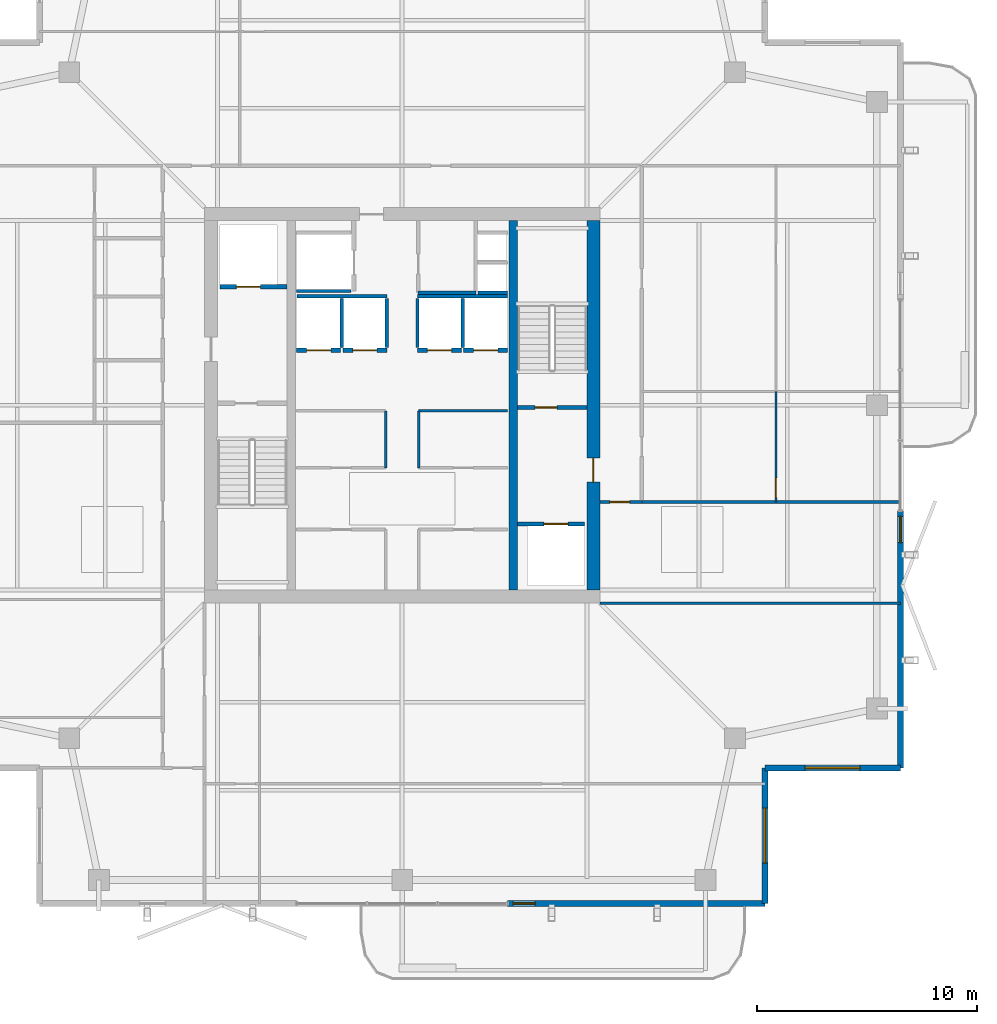
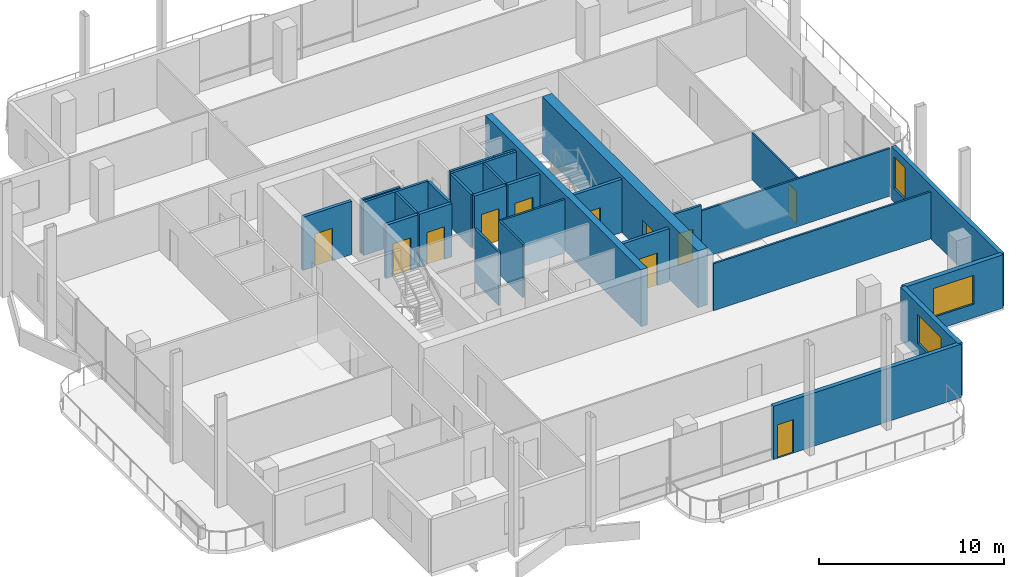
# One storey, part 15 of 20: 29 walls, 11 doors, 3 windows, 14 openings.
"""IFC4 building model written with IfcOpenShell, lengths in metres."""

from ifc_helpers import new_model, si_unit, direction, frame, frame_2d, origin, place, context, subcontext, project, spatial, rectangle, extrude, material, layer, layer_set, type_object, element, fill, save


model = new_model("IFC4")

# Units and contexts
model_context = context("Model", 3, precision=1e-05, world=origin(), true_north=direction((0.0, 1.0)))
body_context = subcontext(model_context, "Body", "Model", "MODEL_VIEW")
ifc_project = project(units=[si_unit("LENGTHUNIT", "METRE"), si_unit("AREAUNIT", "SQUARE_METRE"), si_unit("VOLUMEUNIT", "CUBIC_METRE"), si_unit("PLANEANGLEUNIT", "RADIAN"), si_unit("MASSUNIT", "GRAM", prefix="KILO")], contexts=[model_context])

# Site, building, storey
site_placement = place(None, origin())
site = spatial("IfcSite", under=ifc_project, at=site_placement, CompositionType="ELEMENT")
building_placement = place(site_placement, origin())
building = spatial("IfcBuilding", under=site, at=building_placement, Name="Belovzor Exchange Tower", CompositionType="ELEMENT")
storey_placement = place(building_placement, frame((0.0, 0.0, 321.75)))
storey = spatial("IfcBuildingStorey", under=building, at=storey_placement, Name="L80", CompositionType="ELEMENT", Elevation=321.75)

# Walls
ifc_material_1 = material(Name="Acoustic Plasterboard on Galvanised Studs", Category="gypsum")
ifc_layer_1 = layer(ifc_material_1, 0.1201171875)
ifc_layer_set_1 = layer_set([ifc_layer_1], Name="Acoustic Plasterboard on Galvanised Studs")
wall_type_1 = type_object("IfcWallType", Name="Acoustic Double-Stud Partition Wall 120", PredefinedType="PARTITIONING", material=ifc_layer_set_1)
wall_1_placement = place(storey_placement, frame((37.800048828125, 19.800048828125, 0.0), z_axis=(0.0, 0.0, 1.0), x_axis=(1.0, 0.0, 0.0)))
element("IfcWall", 1, at=wall_1_placement, inside=storey, type_object=wall_type_1, Name="W-P120 Partition Wall W-L80-ESS", PredefinedType="PARTITIONING", context=body_context, shape_type="SweptSolid", body=[
    extrude(rectangle(XDim=13.669921875, YDim=0.1201171875, at=frame_2d((6.8349609375, 0.0))), origin(), (0.0, 0.0, 1.0), 3.094970703125),
])
wall_2_placement = place(storey_placement, frame((39.699951171875, 24.39990234375, 0.0), z_axis=(0.0, 0.0, 1.0), x_axis=(1.0, 0.0, 0.0)))
element("IfcWall", 2, at=wall_2_placement, inside=storey, type_object=wall_type_1, Name="W-P120 Partition Wall W-L80-ESN", PredefinedType="PARTITIONING", context=body_context, shape_type="SweptSolid", body=[
    extrude(rectangle(XDim=11.77001953125, YDim=0.1201171875, at=frame_2d((5.885009765625, 0.0))), origin(), (0.0, 0.0, 1.0), 3.135009765625),
])

# Wall, opening, door
ifc_material_2 = material(Name="Acoustic Laminated Glass and Aluminium", Category="aluminium")
ifc_layer_2 = layer(ifc_material_2, 0.10009765625)
ifc_layer_set_2 = layer_set([ifc_layer_2], Name="Acoustic Laminated Glass and Aluminium")
wall_type_2 = type_object("IfcWallType", Name="Demountable Executive Glass Partition 100", PredefinedType="MOVABLE", material=ifc_layer_set_2)
wall_3_placement = place(storey_placement, frame((45.802978515625, 24.39990234375, 0.0), z_axis=(0.0, 0.0, 1.0), x_axis=(0.0, 1.0, 0.0)))
wall_3 = element("IfcWall", 3, at=wall_3_placement, inside=storey, type_object=wall_type_2, Name="W-M100 Partition Wall W-L80-EHDIV-0", PredefinedType="MOVABLE", context=body_context, shape_type="SweptSolid", body=[
    extrude(rectangle(XDim=5.028076171875, YDim=0.10009765625, at=frame_2d((2.51416015625, 0.0))), origin(), (0.0, 0.0, 1.0), 3.094970703125),
])
opening_1_placement = place(wall_3_placement, frame((0.199951171875, 0.0, 0.0)))
opening_1 = element("IfcOpeningElement", 4, at=opening_1_placement, cuts=wall_3, Name="Opening D-INT-090", PredefinedType="OPENING", context=body_context, shape_type="SweptSolid", body=[
    extrude(rectangle(XDim=0.89990234375, YDim=2.10009765625, at=frame_2d((0.449951171875, 1.050048828125))), frame((0.0, 0.06005859375, 0.0), z_axis=(0.0, -1.0, 0.0), x_axis=(1.0, 0.0, 0.0)), (0.0, 0.0, 1.0), 0.1201171875),
])
ifc_material_3 = material(Name="Veneered Hardwood Acoustic Leaf", Category="wood")
door_type_1 = type_object("IfcDoorType", Name="Trading Suite Acoustic Single Door 900x2100", OperationType="NOTDEFINED", PredefinedType="DOOR", material=ifc_material_3)
door_1_placement = place(opening_1_placement, origin())
door_1 = element("IfcDoor", 5, at=door_1_placement, inside=storey, type_object=door_type_1, Name="D-INT-090 Trading Suite Acoustic Single Door 900x2100", OperationType="SINGLE_SWING_RIGHT", OverallHeight=2.10009765625, OverallWidth=0.89990234375, PredefinedType="DOOR", context=body_context, shape_type="SweptSolid", body=[
    extrude(rectangle(XDim=0.89990234375, YDim=2.10009765625, at=frame_2d((0.449951171875, 1.050048828125))), frame((0.0, 0.02490234375, 0.0), z_axis=(0.0, -1.0, 0.0), x_axis=(1.0, 0.0, 0.0)), (0.0, 0.0, 1.0), 0.050048828125),
])
fill(opening_1, door_1)

# Walls
ifc_material_4 = material(Name="Fire-Rated Plasterboard on Galvanised Studs", Category="gypsum")
ifc_layer_3 = layer(ifc_material_4, 0.1201171875)
ifc_layer_set_3 = layer_set([ifc_layer_3], Name="Fire-Rated Plasterboard on Galvanised Studs")
wall_type_3 = type_object("IfcWallType", Name="Fire-Rated Double-Stud Partition Wall 120", PredefinedType="PARTITIONING", material=ifc_layer_set_3)
wall_4_placement = place(storey_placement, frame((28.050048828125, 25.949951171875, 0.0), z_axis=(0.0, 0.0, 1.0), x_axis=(0.0, 1.0, 0.0)))
element("IfcWall", 6, at=wall_4_placement, inside=storey, type_object=wall_type_3, Name="W-P120F Partition Wall W-CRM-L80-WE", PredefinedType="PARTITIONING", context=body_context, shape_type="SweptSolid", body=[
    extrude(rectangle(XDim=2.60009765625, YDim=0.1201171875, at=frame_2d((1.300048828125, 0.0))), origin(), (0.0, 0.0, 1.0), 3.510009765625),
])
wall_5_placement = place(storey_placement, frame((29.550048828125, 28.550048828125, 0.0), z_axis=(0.0, 0.0, 1.0), x_axis=(1.0, 0.0, 0.0)))
element("IfcWall", 7, at=wall_5_placement, inside=storey, type_object=wall_type_3, Name="W-P120F Partition Wall W-CRM-L80-EN", PredefinedType="PARTITIONING", context=body_context, shape_type="SweptSolid", body=[
    extrude(rectangle(XDim=4.050048828125, YDim=0.1201171875, at=frame_2d((2.02490234375, 0.0))), origin(), (0.0, 0.0, 1.0), 3.510009765625),
])
wall_6_placement = place(storey_placement, frame((29.550048828125, 25.949951171875, 0.0), z_axis=(0.0, 0.0, 1.0), x_axis=(0.0, 1.0, 0.0)))
element("IfcWall", 8, at=wall_6_placement, inside=storey, type_object=wall_type_3, Name="W-P120F Partition Wall W-CRM-L80-EW", PredefinedType="PARTITIONING", context=body_context, shape_type="SweptSolid", body=[
    extrude(rectangle(XDim=2.60009765625, YDim=0.1201171875, at=frame_2d((1.300048828125, 0.0))), origin(), (0.0, 0.0, 1.0), 3.510009765625),
])
ifc_material_5 = material(Name="Fire-Rated Gypsum Block and Mineral Wool", Category="gypsum")
ifc_layer_4 = layer(ifc_material_5, 0.14990234375)
ifc_layer_set_4 = layer_set([ifc_layer_4], Name="Fire-Rated Gypsum Block and Mineral Wool")
wall_type_4 = type_object("IfcWallType", Name="Fire-Rated Gypsum Block Corridor Wall 150", PredefinedType="PARTITIONING", material=ifc_layer_set_4)
wall_7_placement = place(storey_placement, frame((29.52490234375, 33.925048828125, 0.0), z_axis=(0.0, 0.0, 1.0), x_axis=(1.0, 0.0, 0.0)))
element("IfcWall", 9, at=wall_7_placement, inside=storey, type_object=wall_type_4, Name="W-P150 Partition Wall W-CRV-L80-S", PredefinedType="PARTITIONING", context=body_context, shape_type="SweptSolid", body=[
    extrude(rectangle(XDim=2.625, YDim=0.14990234375, at=frame_2d((1.3125, 0.0))), origin(), (0.0, 0.0, 1.0), 3.510009765625),
])

# Wall, opening, door
wall_8_placement = place(storey_placement, frame((37.800048828125, 24.39990234375, 0.0), z_axis=(0.0, 0.0, 1.0), x_axis=(1.0, 0.0, 0.0)))
wall_8 = element("IfcWall", 10, at=wall_8_placement, inside=storey, type_object=wall_type_4, Name="W-P150 Partition Wall W-L80-CE-END", PredefinedType="PARTITIONING", context=body_context, shape_type="SweptSolid", body=[
    extrude(rectangle(XDim=1.89990234375, YDim=0.14990234375, at=frame_2d((0.949951171875, 0.0))), origin(), (0.0, 0.0, 1.0), 3.510009765625),
])
opening_2_placement = place(wall_8_placement, frame((0.449951171875, 0.0, 0.0)))
opening_2 = element("IfcOpeningElement", 11, at=opening_2_placement, cuts=wall_8, Name="Opening D-FD60-090", PredefinedType="OPENING", context=body_context, shape_type="SweptSolid", body=[
    extrude(rectangle(XDim=0.89990234375, YDim=2.10009765625, at=frame_2d((0.449951171875, 1.050048828125))), frame((0.0, 0.0849609375, 0.0), z_axis=(0.0, -1.0, 0.0), x_axis=(1.0, 0.0, 0.0)), (0.0, 0.0, 1.0), 0.169921875),
])
ifc_material_6 = material(Name="Acoustic Timber Fire Leaf", Category="wood")
door_type_2 = type_object("IfcDoorType", Name="Core Service & Restroom Fire Door 900x2100", OperationType="NOTDEFINED", PredefinedType="DOOR", material=ifc_material_6)
door_2_placement = place(opening_2_placement, origin())
door_2 = element("IfcDoor", 12, at=door_2_placement, inside=storey, type_object=door_type_2, Name="D-FD60-090 Core Service & Restroom Fire Door 900x2100", OperationType="SINGLE_SWING_LEFT", OverallHeight=2.10009765625, OverallWidth=0.89990234375, PredefinedType="DOOR", context=body_context, shape_type="SweptSolid", body=[
    extrude(rectangle(XDim=0.89990234375, YDim=2.10009765625, at=frame_2d((0.449951171875, 1.050048828125))), frame((0.0, 0.02490234375, 0.0), z_axis=(0.0, -1.0, 0.0), x_axis=(1.0, 0.0, 0.0)), (0.0, 0.0, 1.0), 0.050048828125),
])
fill(opening_2, door_2)

# Wall, opening, window
ifc_material_7 = material(Name="Precast concrete C40/50", Category="concrete")
ifc_layer_5 = layer(ifc_material_7, 0.280029296875)
ifc_layer_set_5 = layer_set([ifc_layer_5], Name="Precast concrete C40/50")
wall_type_5 = type_object("IfcWallType", Name="Precast Concrete Notched Corner Frame Wall 280", PredefinedType="SOLIDWALL", material=ifc_layer_set_5)
wall_9_placement = place(storey_placement, frame((51.469970703125, 12.300048828125, 0.0), z_axis=(0.0, 0.0, 1.0), x_axis=(-1.0, 0.0, 0.0)))
wall_9 = element("IfcWall", 13, at=wall_9_placement, inside=storey, type_object=wall_type_5, Name="W-CRN280 Precast Concrete Notched Corner Frame Wall 280 L80", PredefinedType="SOLIDWALL", context=body_context, shape_type="SweptSolid", body=[
    extrude(rectangle(XDim=6.169921875, YDim=0.280029296875, at=frame_2d((3.0849609375, 0.0))), origin(), (0.0, 0.0, 1.0), 3.510009765625),
])
opening_3_placement = place(wall_9_placement, frame((1.8349609375, 0.0, 0.89990234375)))
opening_3 = element("IfcOpeningElement", 14, at=opening_3_placement, cuts=wall_9, Name="Opening WN-CRN250", PredefinedType="OPENING", context=body_context, shape_type="SweptSolid", body=[
    extrude(rectangle(XDim=2.5, YDim=1.89990234375, at=frame_2d((1.25, 0.949951171875))), frame((0.0, 0.14990234375, 0.0), z_axis=(0.0, -1.0, 0.0), x_axis=(1.0, 0.0, 0.0)), (0.0, 0.0, 1.0), 0.300048828125),
])
ifc_material_8 = material(Name="Thermally Broken Aluminium and Triple Glazing", Category="aluminium")
window_type_1 = type_object("IfcWindowType", Name="Streamline Moderne Corner Wrap Ribbon Window 2500x1900", PartitioningType="SINGLE_PANEL", PredefinedType="WINDOW", material=ifc_material_8)
window_1_placement = place(opening_3_placement, origin())
window_1 = element("IfcWindow", 15, at=window_1_placement, inside=storey, type_object=window_type_1, Name="WN-CRN250 Streamline Moderne Corner Wrap Ribbon Window 2500x1900", OverallHeight=1.89990234375, OverallWidth=2.5, PartitioningType="SINGLE_PANEL", PredefinedType="WINDOW", context=body_context, shape_type="SweptSolid", body=[
    extrude(rectangle(XDim=2.5, YDim=1.89990234375, at=frame_2d((1.25, 0.949951171875))), frame((0.0, 0.030029296875, 0.0), z_axis=(0.0, -1.0, 0.0), x_axis=(1.0, 0.0, 0.0)), (0.0, 0.0, 1.0), 0.06005859375),
])
fill(opening_3, window_1)

wall_10_placement = place(storey_placement, frame((45.300048828125, 12.300048828125, 0.0), z_axis=(0.0, 0.0, 1.0), x_axis=(0.0, -1.0, 0.0)))
wall_10 = element("IfcWall", 16, at=wall_10_placement, inside=storey, type_object=wall_type_5, Name="W-CRN280 Precast Concrete Notched Corner Frame Wall 280 L80", PredefinedType="SOLIDWALL", context=body_context, shape_type="SweptSolid", body=[
    extrude(rectangle(XDim=6.170166015625, YDim=0.280029296875, at=frame_2d((3.0849609375, 0.0))), origin(), (0.0, 0.0, 1.0), 3.510009765625),
])
opening_4_placement = place(wall_10_placement, frame((1.8349609375, 0.0, 0.89990234375)))
opening_4 = element("IfcOpeningElement", 17, at=opening_4_placement, cuts=wall_10, Name="Opening WN-CRN250", PredefinedType="OPENING", context=body_context, shape_type="SweptSolid", body=[
    extrude(rectangle(XDim=2.5, YDim=1.89990234375, at=frame_2d((1.25, 0.949951171875))), frame((0.0, 0.14990234375, 0.0), z_axis=(0.0, -1.0, 0.0), x_axis=(1.0, 0.0, 0.0)), (0.0, 0.0, 1.0), 0.300048828125),
])
window_2_placement = place(opening_4_placement, origin())
window_2 = element("IfcWindow", 18, at=window_2_placement, inside=storey, type_object=window_type_1, Name="WN-CRN250 Streamline Moderne Corner Wrap Ribbon Window 2500x1900", OverallHeight=1.89990234375, OverallWidth=2.5, PartitioningType="SINGLE_PANEL", PredefinedType="WINDOW", context=body_context, shape_type="SweptSolid", body=[
    extrude(rectangle(XDim=2.5, YDim=1.89990234375, at=frame_2d((1.25, 0.949951171875))), frame((0.0, 0.030029296875, 0.0), z_axis=(0.0, -1.0, 0.0), x_axis=(1.0, 0.0, 0.0)), (0.0, 0.0, 1.0), 0.06005859375),
])
fill(opening_4, window_2)

# Wall, opening, door
ifc_material_9 = material(Name="Precast concrete C40/50", Category="concrete")
ifc_layer_6 = layer(ifc_material_9, 0.260009765625)
ifc_layer_set_6 = layer_set([ifc_layer_6], Name="Precast concrete C40/50")
wall_type_6 = type_object("IfcWallType", Name="Precast Concrete Perimeter Loggia Frame Wall 260", PredefinedType="SOLIDWALL", material=ifc_layer_set_6)
wall_11_placement = place(storey_placement, frame((45.300048828125, 6.1298828125, 0.0), z_axis=(0.0, 0.0, 1.0), x_axis=(-1.0, 0.0, 0.0)))
wall_11 = element("IfcWall", 19, at=wall_11_placement, inside=storey, type_object=wall_type_6, Name="W-EXT260 Precast Concrete Perimeter Loggia Frame Wall 260 L80", PredefinedType="SOLIDWALL", context=body_context, shape_type="SweptSolid", body=[
    extrude(rectangle(XDim=11.699951171875, YDim=0.260009765625, at=frame_2d((5.85009765625, 0.0))), origin(), (0.0, 0.0, 1.0), 3.510009765625),
])
opening_5_placement = place(wall_11_placement, frame((10.449951171875, 0.0, 0.0)))
opening_5 = element("IfcOpeningElement", 20, at=opening_5_placement, cuts=wall_11, Name="Opening D-BAL100", PredefinedType="OPENING", context=body_context, shape_type="SweptSolid", body=[
    extrude(rectangle(XDim=1.0, YDim=2.199951171875, at=frame_2d((0.5, 1.10009765625))), frame((0.0, 0.139892578125, 0.0), z_axis=(0.0, -1.0, 0.0), x_axis=(1.0, 0.0, 0.0)), (0.0, 0.0, 1.0), 0.280029296875),
])
ifc_material_10 = material(Name="Thermally Broken Anodised Aluminium and Laminated Glass", Category="aluminium")
door_type_3 = type_object("IfcDoorType", Name="Planted Loggia Terrace Glazed Door 1000x2200", OperationType="SINGLE_SWING_LEFT", PredefinedType="DOOR", material=ifc_material_10)
door_3_placement = place(opening_5_placement, origin())
door_3 = element("IfcDoor", 21, at=door_3_placement, inside=storey, type_object=door_type_3, Name="D-BAL100 Balcony Terrace Door L80 S", OperationType="SINGLE_SWING_LEFT", OverallHeight=2.199951171875, OverallWidth=1.0, PredefinedType="DOOR", context=body_context, shape_type="SweptSolid", body=[
    extrude(rectangle(XDim=1.0, YDim=2.199951171875, at=frame_2d((0.5, 1.10009765625))), frame((0.0, 0.02490234375, 0.0), z_axis=(0.0, -1.0, 0.0), x_axis=(1.0, 0.0, 0.0)), (0.0, 0.0, 1.0), 0.050048828125),
])
fill(opening_5, door_3)

# Wall, opening, window
wall_12_placement = place(storey_placement, frame((51.469970703125, 24.0, 0.0), z_axis=(0.0, 0.0, 1.0), x_axis=(0.0, -1.0, 0.0)))
wall_12 = element("IfcWall", 22, at=wall_12_placement, inside=storey, type_object=wall_type_6, Name="W-EXT260 Precast Concrete Perimeter Loggia Frame Wall 260 L80", PredefinedType="SOLIDWALL", context=body_context, shape_type="SweptSolid", body=[
    extrude(rectangle(XDim=11.699951171875, YDim=0.260009765625, at=frame_2d((5.85009765625, 0.0))), origin(), (0.0, 0.0, 1.0), 3.510009765625),
])
opening_6_placement = place(wall_12_placement, frame((0.25, 0.0, 0.89990234375)))
opening_6 = element("IfcOpeningElement", 23, at=opening_6_placement, cuts=wall_12, Name="Opening WN-CRN120", PredefinedType="OPENING", context=body_context, shape_type="SweptSolid", body=[
    extrude(rectangle(XDim=1.199951171875, YDim=2.10009765625, at=frame_2d((0.60009765625, 1.050048828125))), frame((0.0, 0.139892578125, 0.0), z_axis=(0.0, -1.0, 0.0), x_axis=(1.0, 0.0, 0.0)), (0.0, 0.0, 1.0), 0.280029296875),
])
ifc_material_11 = material(Name="Thermally Broken Aluminium and Triple Glazing", Category="aluminium")
window_type_2 = type_object("IfcWindowType", Name="Streamline Notched Corner Window 1200x2100", PartitioningType="SINGLE_PANEL", PredefinedType="WINDOW", material=ifc_material_11)
window_3_placement = place(opening_6_placement, origin())
window_3 = element("IfcWindow", 24, at=window_3_placement, inside=storey, type_object=window_type_2, Name="WN-CRN120 Streamline Notched Corner Window 1200x2100", OverallHeight=2.10009765625, OverallWidth=1.199951171875, PartitioningType="SINGLE_PANEL", PredefinedType="WINDOW", context=body_context, shape_type="SweptSolid", body=[
    extrude(rectangle(XDim=1.199951171875, YDim=2.10009765625, at=frame_2d((0.60009765625, 1.050048828125))), frame((0.0, 0.030029296875, 0.0), z_axis=(0.0, -1.0, 0.0), x_axis=(1.0, 0.0, 0.0)), (0.0, 0.0, 1.0), 0.06005859375),
])
fill(opening_6, window_3)

# Walls
ifc_material_12 = material(Name="Concrete C50/60", Category="concrete")
ifc_layer_7 = layer(ifc_material_12, 0.39990234375)
ifc_layer_set_7 = layer_set([ifc_layer_7], Name="Concrete C50/60")
wall_type_7 = type_object("IfcWallType", Name="Reinforced Concrete Core Internal Web Wall 400", PredefinedType="SHEAR", material=ifc_layer_set_7)
wall_13_placement = place(storey_placement, frame((33.85009765625, 20.39990234375, 0.0), z_axis=(0.0, 0.0, 1.0), x_axis=(0.0, 1.0, 0.0)))
element("IfcWall", 25, at=wall_13_placement, inside=storey, type_object=wall_type_7, Name="CW-W040 Core Internal Web Wall L80 ER", PredefinedType="SHEAR", context=body_context, shape_type="SweptSolid", body=[
    extrude(rectangle(XDim=16.800048828125, YDim=0.39990234375, at=frame_2d((8.39990234375, 0.0))), origin(), (0.0, 0.0, 1.0), 3.75),
])
ifc_material_13 = material(Name="Concrete C50/60", Category="concrete")
ifc_layer_8 = layer(ifc_material_13, 0.14990234375)
ifc_layer_set_8 = layer_set([ifc_layer_8], Name="Concrete C50/60")
wall_type_8 = type_object("IfcWallType", Name="Reinforced Concrete Core Riser Shear Wall 150", PredefinedType="SHEAR", material=ifc_layer_set_8)
wall_14_placement = place(storey_placement, frame((32.25, 33.925048828125, 0.0), z_axis=(0.0, 0.0, 1.0), x_axis=(1.0, 0.0, 0.0)))
element("IfcWall", 26, at=wall_14_placement, inside=storey, type_object=wall_type_8, Name="W-C150S Core Shaft Wall W-RSR-L80-S", PredefinedType="SHEAR", context=body_context, shape_type="SweptSolid", body=[
    extrude(rectangle(XDim=1.330078125, YDim=0.14990234375, at=frame_2d((0.6650390625, 0.0))), origin(), (0.0, 0.0, 1.0), 3.510009765625),
])
wall_15_placement = place(storey_placement, frame((24.0, 34.0, 0.0), z_axis=(0.0, 0.0, 1.0), x_axis=(1.0, 0.0, 0.0)))
element("IfcWall", 27, at=wall_15_placement, inside=storey, type_object=wall_type_8, Name="W-C150S Core Shaft Wall W-SH-L80-SL-01S", PredefinedType="SHEAR", context=body_context, shape_type="SweptSolid", body=[
    extrude(rectangle(XDim=2.47998046875, YDim=0.14990234375, at=frame_2d((1.239990234375, 0.0))), origin(), (0.0, 0.0, 1.0), 3.510009765625),
])
for number, where, z_axis, x_axis, name in (
    (28, (24.02001953125, 33.760009765625, 0.0), (0.0, 0.0, 1.0), (1.0, 0.0, 0.0), "W-C150S Core Shaft Wall W-SHB-L80-PLH-NW"),
    (29, (29.5, 33.760009765625, 0.0), (0.0, 0.0, 1.0), (1.0, 0.0, 0.0), "W-C150S Core Shaft Wall W-SHB-L80-PLH-NE"),
):
    element("IfcWall", number, at=place(storey_placement, frame(where, z_axis=z_axis, x_axis=x_axis)), inside=storey, type_object=wall_type_8, Name=name, PredefinedType="SHEAR", context=body_context, shape_type="SweptSolid", body=[
        extrude(rectangle(XDim=4.080078125, YDim=0.14990234375, at=frame_2d((2.0400390625, 0.0))), origin(), (0.0, 0.0, 1.0), 3.510009765625),
    ])
for number, where, z_axis, x_axis, name in (
    (30, (26.050048828125, 31.419921875, 0.0), (0.0, 0.0, 1.0), (0.0, 1.0, 0.0), "W-C150S Core Shaft Wall W-SHD-L80-PLH-1"),
    (31, (28.10009765625, 31.419921875, 0.0), (0.0, 0.0, 1.0), (0.0, 1.0, 0.0), "W-C150S Core Shaft Wall W-SHD-L80-PLH-2"),
    (32, (29.5, 31.419921875, 0.0), (0.0, 0.0, 1.0), (0.0, 1.0, 0.0), "W-C150S Core Shaft Wall W-SHD-L80-PLH-3"),
    (33, (31.550048828125, 31.419921875, 0.0), (0.0, 0.0, 1.0), (0.0, 1.0, 0.0), "W-C150S Core Shaft Wall W-SHD-L80-PLH-4"),
):
    element("IfcWall", number, at=place(storey_placement, frame(where, z_axis=z_axis, x_axis=x_axis)), inside=storey, type_object=wall_type_8, Name=name, PredefinedType="SHEAR", context=body_context, shape_type="SweptSolid", body=[
        extrude(rectangle(XDim=2.239990234375, YDim=0.14990234375, at=frame_2d((1.1201171875, 0.0))), origin(), (0.0, 0.0, 1.0), 3.510009765625),
    ])

# Wall, opening, door
ifc_material_14 = material(Name="Concrete C50/60", Category="concrete")
ifc_layer_9 = layer(ifc_material_14, 0.199951171875)
ifc_layer_set_9 = layer_set([ifc_layer_9], Name="Concrete C50/60")
wall_type_9 = type_object("IfcWallType", Name="Reinforced Concrete Core Shaft Shear Wall 200", PredefinedType="SHEAR", material=ifc_layer_set_9)
wall_16_placement = place(storey_placement, frame((34.050048828125, 28.699951171875, 0.0), z_axis=(0.0, 0.0, 1.0), x_axis=(1.0, 0.0, 0.0)))
wall_16 = element("IfcWall", 34, at=wall_16_placement, inside=storey, type_object=wall_type_9, Name="W-C200S Core Shaft Wall W-CORE-L80-FFLE2", PredefinedType="SHEAR", context=body_context, shape_type="SweptSolid", body=[
    extrude(rectangle(XDim=3.14990234375, YDim=0.199951171875, at=frame_2d((1.574951171875, 0.0))), origin(), (0.0, 0.0, 1.0), 3.510009765625),
])
opening_7_placement = place(wall_16_placement, frame((0.800048828125, 0.0, 0.0)))
opening_7 = element("IfcOpeningElement", 35, at=opening_7_placement, cuts=wall_16, Name="Opening D-FD90-100", PredefinedType="OPENING", context=body_context, shape_type="SweptSolid", body=[
    extrude(rectangle(XDim=1.0, YDim=2.10009765625, at=frame_2d((0.5, 1.050048828125))), frame((0.0, 0.10986328125, 0.0), z_axis=(0.0, -1.0, 0.0), x_axis=(1.0, 0.0, 0.0)), (0.0, 0.0, 1.0), 0.219970703125),
])
ifc_material_15 = material(Name="Fire-Rated Galvanised Steel Leaf", Category="steel")
door_type_4 = type_object("IfcDoorType", Name="Protected Stairwell Single Fire Door 1000x2100", OperationType="NOTDEFINED", PredefinedType="DOOR", material=ifc_material_15)
door_4_placement = place(opening_7_placement, origin())
door_4 = element("IfcDoor", 36, at=door_4_placement, inside=storey, type_object=door_type_4, Name="D-FD90-100 Protected Stairwell Single Fire Door 1000x2100", OperationType="SINGLE_SWING_LEFT", OverallHeight=2.10009765625, OverallWidth=1.0, PredefinedType="DOOR", context=body_context, shape_type="SweptSolid", body=[
    extrude(rectangle(XDim=1.0, YDim=2.10009765625, at=frame_2d((0.5, 1.050048828125))), frame((0.0, 0.02490234375, 0.0), z_axis=(0.0, -1.0, 0.0), x_axis=(1.0, 0.0, 0.0)), (0.0, 0.0, 1.0), 0.050048828125),
])
fill(opening_7, door_4)

wall_17_placement = place(storey_placement, frame((20.5, 34.199951171875, 0.0), z_axis=(0.0, 0.0, 1.0), x_axis=(1.0, 0.0, 0.0)))
wall_17 = element("IfcWall", 37, at=wall_17_placement, inside=storey, type_object=wall_type_9, Name="W-C200S Core Shaft Wall W-SH-L80-FFL-01", PredefinedType="SHEAR", context=body_context, shape_type="SweptSolid", body=[
    extrude(rectangle(XDim=3.050048828125, YDim=0.199951171875, at=frame_2d((1.52490234375, 0.0))), origin(), (0.0, 0.0, 1.0), 3.510009765625),
])
opening_8_placement = place(wall_17_placement, frame((0.75, 0.0, 0.0)))
opening_8 = element("IfcOpeningElement", 38, at=opening_8_placement, cuts=wall_17, Name="Opening LD-110", PredefinedType="OPENING", context=body_context, shape_type="SweptSolid", body=[
    extrude(rectangle(XDim=1.10009765625, YDim=2.14990234375, at=frame_2d((0.550048828125, 1.074951171875))), frame((0.0, 0.10986328125, 0.0), z_axis=(0.0, -1.0, 0.0), x_axis=(1.0, 0.0, 0.0)), (0.0, 0.0, 1.0), 0.219970703125),
])
ifc_material_16 = material(Name="Stainless Steel Grade 304", Category="steel")
door_type_5 = type_object("IfcDoorType", Name="Automated Stainless Steel Lift Landing Door 1100x2150", OperationType="SLIDING_TO_RIGHT", PredefinedType="DOOR", material=ifc_material_16)
door_5_placement = place(opening_8_placement, origin())
door_5 = element("IfcDoor", 39, at=door_5_placement, inside=storey, type_object=door_type_5, Name="LD-110 Automated Stainless Steel Lift Landing Door 1100x2150", OperationType="SLIDING_TO_RIGHT", OverallHeight=2.14990234375, OverallWidth=1.10009765625, PredefinedType="DOOR", context=body_context, shape_type="SweptSolid", body=[
    extrude(rectangle(XDim=1.10009765625, YDim=2.14990234375, at=frame_2d((0.550048828125, 1.074951171875))), frame((0.0, 0.02490234375, 0.0), z_axis=(0.0, -1.0, 0.0), x_axis=(1.0, 0.0, 0.0)), (0.0, 0.0, 1.0), 0.050048828125),
])
fill(opening_8, door_5)

wall_18_placement = place(storey_placement, frame((34.050048828125, 23.39990234375, 0.0), z_axis=(0.0, 0.0, 1.0), x_axis=(1.0, 0.0, 0.0)))
wall_18 = element("IfcWall", 40, at=wall_18_placement, inside=storey, type_object=wall_type_9, Name="W-C200S Core Shaft Wall W-SH-L80-FFL-02", PredefinedType="SHEAR", context=body_context, shape_type="SweptSolid", body=[
    extrude(rectangle(XDim=3.050048828125, YDim=0.199951171875, at=frame_2d((1.52490234375, 0.0))), origin(), (0.0, 0.0, 1.0), 3.510009765625),
])
opening_9_placement = place(wall_18_placement, frame((1.199951171875, 0.0, 0.0)))
opening_9 = element("IfcOpeningElement", 41, at=opening_9_placement, cuts=wall_18, Name="Opening LD-110", PredefinedType="OPENING", context=body_context, shape_type="SweptSolid", body=[
    extrude(rectangle(XDim=1.10009765625, YDim=2.14990234375, at=frame_2d((0.550048828125, 1.074951171875))), frame((0.0, 0.10986328125, 0.0), z_axis=(0.0, -1.0, 0.0), x_axis=(1.0, 0.0, 0.0)), (0.0, 0.0, 1.0), 0.219970703125),
])
door_6_placement = place(opening_9_placement, origin())
door_6 = element("IfcDoor", 42, at=door_6_placement, inside=storey, type_object=door_type_5, Name="LD-110 Automated Stainless Steel Lift Landing Door 1100x2150", OperationType="SLIDING_TO_RIGHT", OverallHeight=2.14990234375, OverallWidth=1.10009765625, PredefinedType="DOOR", context=body_context, shape_type="SweptSolid", body=[
    extrude(rectangle(XDim=1.10009765625, YDim=2.14990234375, at=frame_2d((0.550048828125, 1.074951171875))), frame((0.0, 0.02490234375, 0.0), z_axis=(0.0, -1.0, 0.0), x_axis=(1.0, 0.0, 0.0)), (0.0, 0.0, 1.0), 0.050048828125),
])
fill(opening_9, door_6)

wall_19_placement = place(storey_placement, frame((24.0, 31.300048828125, 0.0), z_axis=(0.0, 0.0, 1.0), x_axis=(1.0, 0.0, 0.0)))
wall_19 = element("IfcWall", 43, at=wall_19_placement, inside=storey, type_object=wall_type_9, Name="W-C200S Core Shaft Wall W-SH-L80-PL-H1", PredefinedType="SHEAR", context=body_context, shape_type="SweptSolid", body=[
    extrude(rectangle(XDim=2.0, YDim=0.199951171875, at=frame_2d((1.0, 0.0))), origin(), (0.0, 0.0, 1.0), 3.510009765625),
])
opening_10_placement = place(wall_19_placement, frame((0.449951171875, 0.0, 0.0)))
opening_10 = element("IfcOpeningElement", 44, at=opening_10_placement, cuts=wall_19, Name="Opening LD-110", PredefinedType="OPENING", context=body_context, shape_type="SweptSolid", body=[
    extrude(rectangle(XDim=1.10009765625, YDim=2.14990234375, at=frame_2d((0.550048828125, 1.074951171875))), frame((0.0, 0.10986328125, 0.0), z_axis=(0.0, -1.0, 0.0), x_axis=(1.0, 0.0, 0.0)), (0.0, 0.0, 1.0), 0.219970703125),
])
door_7_placement = place(opening_10_placement, origin())
door_7 = element("IfcDoor", 45, at=door_7_placement, inside=storey, type_object=door_type_5, Name="LD-110 Automated Stainless Steel Lift Landing Door 1100x2150", OperationType="SLIDING_TO_RIGHT", OverallHeight=2.14990234375, OverallWidth=1.10009765625, PredefinedType="DOOR", context=body_context, shape_type="SweptSolid", body=[
    extrude(rectangle(XDim=1.10009765625, YDim=2.14990234375, at=frame_2d((0.550048828125, 1.074951171875))), frame((0.0, 0.02490234375, 0.0), z_axis=(0.0, -1.0, 0.0), x_axis=(1.0, 0.0, 0.0)), (0.0, 0.0, 1.0), 0.050048828125),
])
fill(opening_10, door_7)

wall_20_placement = place(storey_placement, frame((26.10009765625, 31.300048828125, 0.0), z_axis=(0.0, 0.0, 1.0), x_axis=(1.0, 0.0, 0.0)))
wall_20 = element("IfcWall", 46, at=wall_20_placement, inside=storey, type_object=wall_type_9, Name="W-C200S Core Shaft Wall W-SH-L80-PL-H2", PredefinedType="SHEAR", context=body_context, shape_type="SweptSolid", body=[
    extrude(rectangle(XDim=2.0, YDim=0.199951171875, at=frame_2d((1.0, 0.0))), origin(), (0.0, 0.0, 1.0), 3.510009765625),
])
opening_11_placement = place(wall_20_placement, frame((0.449951171875, 0.0, 0.0)))
opening_11 = element("IfcOpeningElement", 47, at=opening_11_placement, cuts=wall_20, Name="Opening LD-110", PredefinedType="OPENING", context=body_context, shape_type="SweptSolid", body=[
    extrude(rectangle(XDim=1.10009765625, YDim=2.14990234375, at=frame_2d((0.550048828125, 1.074951171875))), frame((0.0, 0.10986328125, 0.0), z_axis=(0.0, -1.0, 0.0), x_axis=(1.0, 0.0, 0.0)), (0.0, 0.0, 1.0), 0.219970703125),
])
door_8_placement = place(opening_11_placement, origin())
door_8 = element("IfcDoor", 48, at=door_8_placement, inside=storey, type_object=door_type_5, Name="LD-110 Automated Stainless Steel Lift Landing Door 1100x2150", OperationType="SLIDING_TO_RIGHT", OverallHeight=2.14990234375, OverallWidth=1.10009765625, PredefinedType="DOOR", context=body_context, shape_type="SweptSolid", body=[
    extrude(rectangle(XDim=1.10009765625, YDim=2.14990234375, at=frame_2d((0.550048828125, 1.074951171875))), frame((0.0, 0.02490234375, 0.0), z_axis=(0.0, -1.0, 0.0), x_axis=(1.0, 0.0, 0.0)), (0.0, 0.0, 1.0), 0.050048828125),
])
fill(opening_11, door_8)

wall_21_placement = place(storey_placement, frame((29.5, 31.300048828125, 0.0), z_axis=(0.0, 0.0, 1.0), x_axis=(1.0, 0.0, 0.0)))
wall_21 = element("IfcWall", 49, at=wall_21_placement, inside=storey, type_object=wall_type_9, Name="W-C200S Core Shaft Wall W-SH-L80-PL-H3", PredefinedType="SHEAR", context=body_context, shape_type="SweptSolid", body=[
    extrude(rectangle(XDim=2.0, YDim=0.199951171875, at=frame_2d((1.0, 0.0))), origin(), (0.0, 0.0, 1.0), 3.510009765625),
])
opening_12_placement = place(wall_21_placement, frame((0.449951171875, 0.0, 0.0)))
opening_12 = element("IfcOpeningElement", 50, at=opening_12_placement, cuts=wall_21, Name="Opening LD-110", PredefinedType="OPENING", context=body_context, shape_type="SweptSolid", body=[
    extrude(rectangle(XDim=1.10009765625, YDim=2.14990234375, at=frame_2d((0.550048828125, 1.074951171875))), frame((0.0, 0.10986328125, 0.0), z_axis=(0.0, -1.0, 0.0), x_axis=(1.0, 0.0, 0.0)), (0.0, 0.0, 1.0), 0.219970703125),
])
door_9_placement = place(opening_12_placement, origin())
door_9 = element("IfcDoor", 51, at=door_9_placement, inside=storey, type_object=door_type_5, Name="LD-110 Automated Stainless Steel Lift Landing Door 1100x2150", OperationType="SLIDING_TO_RIGHT", OverallHeight=2.14990234375, OverallWidth=1.10009765625, PredefinedType="DOOR", context=body_context, shape_type="SweptSolid", body=[
    extrude(rectangle(XDim=1.10009765625, YDim=2.14990234375, at=frame_2d((0.550048828125, 1.074951171875))), frame((0.0, 0.02490234375, 0.0), z_axis=(0.0, -1.0, 0.0), x_axis=(1.0, 0.0, 0.0)), (0.0, 0.0, 1.0), 0.050048828125),
])
fill(opening_12, door_9)

wall_22_placement = place(storey_placement, frame((31.60009765625, 31.300048828125, 0.0), z_axis=(0.0, 0.0, 1.0), x_axis=(1.0, 0.0, 0.0)))
wall_22 = element("IfcWall", 52, at=wall_22_placement, inside=storey, type_object=wall_type_9, Name="W-C200S Core Shaft Wall W-SH-L80-PL-H4", PredefinedType="SHEAR", context=body_context, shape_type="SweptSolid", body=[
    extrude(rectangle(XDim=2.0, YDim=0.199951171875, at=frame_2d((1.0, 0.0))), origin(), (0.0, 0.0, 1.0), 3.510009765625),
])
opening_13_placement = place(wall_22_placement, frame((0.449951171875, 0.0, 0.0)))
opening_13 = element("IfcOpeningElement", 53, at=opening_13_placement, cuts=wall_22, Name="Opening LD-110", PredefinedType="OPENING", context=body_context, shape_type="SweptSolid", body=[
    extrude(rectangle(XDim=1.10009765625, YDim=2.14990234375, at=frame_2d((0.550048828125, 1.074951171875))), frame((0.0, 0.10986328125, 0.0), z_axis=(0.0, -1.0, 0.0), x_axis=(1.0, 0.0, 0.0)), (0.0, 0.0, 1.0), 0.219970703125),
])
door_10_placement = place(opening_13_placement, origin())
door_10 = element("IfcDoor", 54, at=door_10_placement, inside=storey, type_object=door_type_5, Name="LD-110 Automated Stainless Steel Lift Landing Door 1100x2150", OperationType="SLIDING_TO_RIGHT", OverallHeight=2.14990234375, OverallWidth=1.10009765625, PredefinedType="DOOR", context=body_context, shape_type="SweptSolid", body=[
    extrude(rectangle(XDim=1.10009765625, YDim=2.14990234375, at=frame_2d((0.550048828125, 1.074951171875))), frame((0.0, 0.02490234375, 0.0), z_axis=(0.0, -1.0, 0.0), x_axis=(1.0, 0.0, 0.0)), (0.0, 0.0, 1.0), 0.050048828125),
])
fill(opening_13, door_10)

ifc_material_17 = material(Name="Concrete C50/60", Category="concrete")
ifc_layer_10 = layer(ifc_material_17, 0.60009765625)
ifc_layer_set_10 = layer_set([ifc_layer_10], Name="Concrete C50/60")
wall_type_10 = type_object("IfcWallType", Name="Reinforced Concrete Core Shear Wall 600", PredefinedType="SHEAR", material=ifc_layer_set_10)
wall_23_placement = place(storey_placement, frame((37.5, 20.39990234375, 0.0), z_axis=(0.0, 0.0, 1.0), x_axis=(0.0, 1.0, 0.0)))
wall_23 = element("IfcWall", 55, at=wall_23_placement, inside=storey, type_object=wall_type_10, Name="CW-S060 Core Shear Wall L80 E", PredefinedType="SHEAR", context=body_context, shape_type="SweptSolid", body=[
    extrude(rectangle(XDim=16.800048828125, YDim=0.60009765625, at=frame_2d((8.39990234375, 0.0))), origin(), (0.0, 0.0, 1.0), 3.75),
])
opening_14_placement = place(wall_23_placement, frame((4.89990234375, 0.0, 0.0)))
opening_14 = element("IfcOpeningElement", 56, at=opening_14_placement, cuts=wall_23, Name="Opening D-FD90-110", PredefinedType="OPENING", context=body_context, shape_type="SweptSolid", body=[
    extrude(rectangle(XDim=1.10009765625, YDim=2.14990234375, at=frame_2d((0.550048828125, 1.074951171875))), frame((0.0, 0.31005859375, 0.0), z_axis=(0.0, -1.0, 0.0), x_axis=(1.0, 0.0, 0.0)), (0.0, 0.0, 1.0), 0.6201171875),
])
ifc_material_18 = material(Name="Fire-Rated Galvanised Steel Leaf", Category="steel")
door_type_6 = type_object("IfcDoorType", Name="Protected Escape Vestibule Fire Door 1100x2150", OperationType="NOTDEFINED", PredefinedType="DOOR", material=ifc_material_18)
door_11_placement = place(opening_14_placement, origin())
door_11 = element("IfcDoor", 57, at=door_11_placement, inside=storey, type_object=door_type_6, Name="D-FD90-110 Protected Escape Vestibule Fire Door 1100x2150", OperationType="SINGLE_SWING_RIGHT", OverallHeight=2.14990234375, OverallWidth=1.10009765625, PredefinedType="DOOR", context=body_context, shape_type="SweptSolid", body=[
    extrude(rectangle(XDim=1.10009765625, YDim=2.14990234375, at=frame_2d((0.550048828125, 1.074951171875))), frame((0.0, 0.02490234375, 0.0), z_axis=(0.0, -1.0, 0.0), x_axis=(1.0, 0.0, 0.0)), (0.0, 0.0, 1.0), 0.050048828125),
])
fill(opening_14, door_11)

save(model, "model.ifc")
